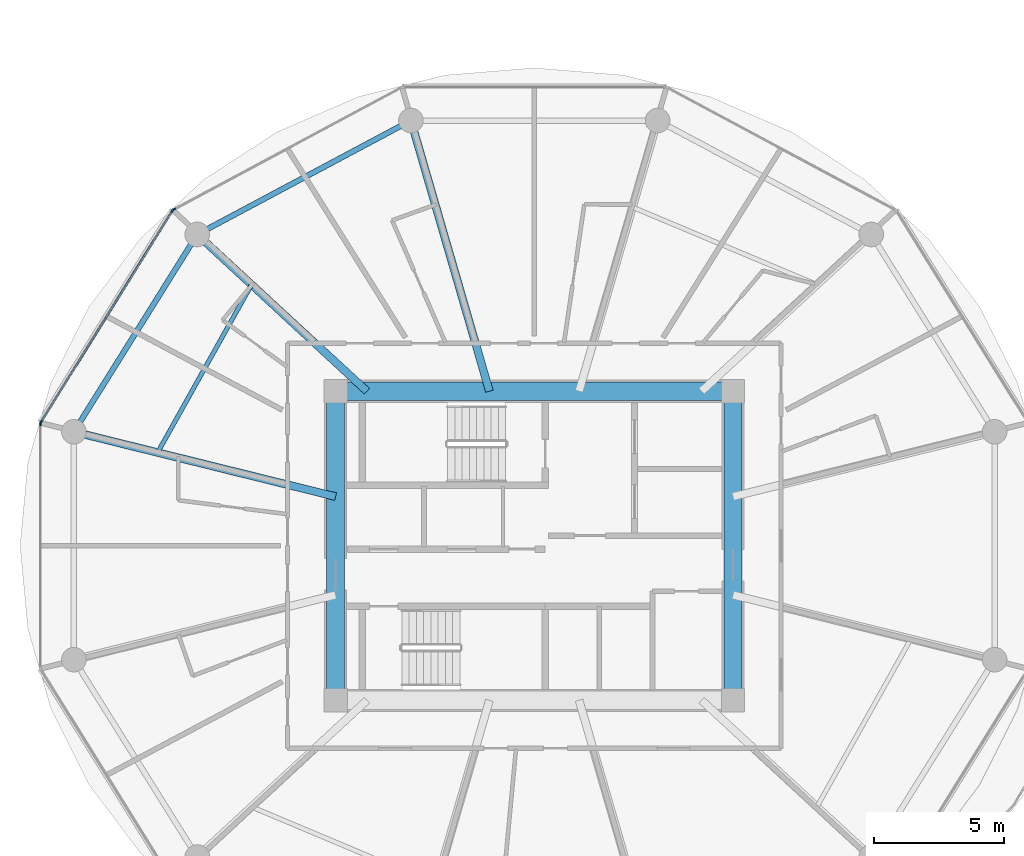
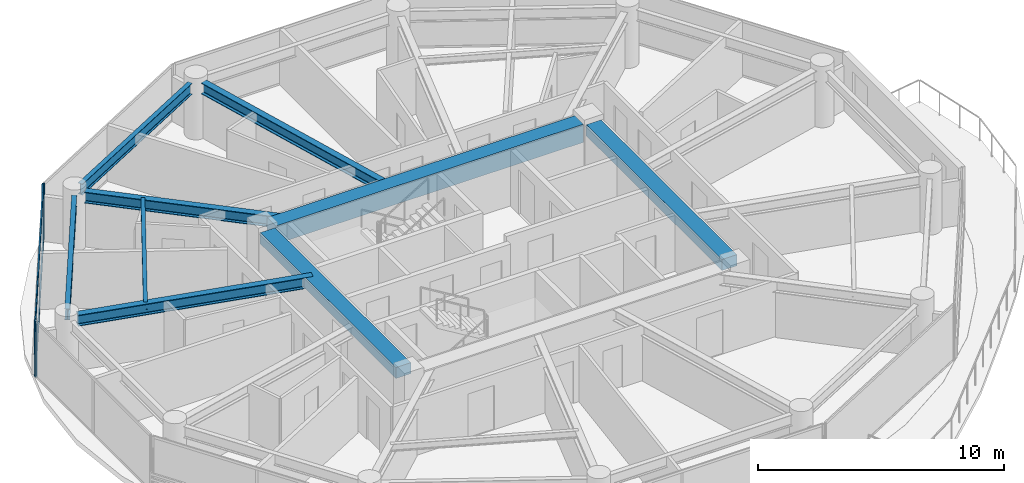
# One storey, part 4 of 27: 9 beams, 6 members, 3 elements without a shape of their own.
"""IFC4 building model written with IfcOpenShell, lengths in metres."""

from ifc_helpers import new_model, si_unit, direction, frame, origin, origin_2d, place, context, subcontext, project, spatial, rectangle, i_section, extrude, source, transform, mapped, material, layer, layer_set, material_profile, profile_set, type_object, type_shapes, element, aggregate, save


model = new_model("IFC4")

# Units and contexts
model_context = context("Model", 3, precision=1e-05, world=origin(), true_north=direction((0.0, 1.0)))
body_context = subcontext(model_context, "Body", "Model", "MODEL_VIEW")
ifc_project = project(units=[si_unit("LENGTHUNIT", "METRE"), si_unit("AREAUNIT", "SQUARE_METRE"), si_unit("VOLUMEUNIT", "CUBIC_METRE"), si_unit("PLANEANGLEUNIT", "RADIAN"), si_unit("MASSUNIT", "GRAM", prefix="KILO")], contexts=[model_context])

# Site, building, storey
site_placement = place(None, origin())
site = spatial("IfcSite", under=ifc_project, at=site_placement, CompositionType="ELEMENT")
building_placement = place(site_placement, origin())
building = spatial("IfcBuilding", under=site, at=building_placement, Name="Norrkilde Senior Care Towers", CompositionType="ELEMENT")
storey_placement = place(building_placement, frame((0.0, 0.0, 61.25)))
storey = spatial("IfcBuildingStorey", under=building, at=storey_placement, Name="L18", CompositionType="ELEMENT", Elevation=61.25)

# Beams
ifc_material_1 = material(Name="Concrete C60/75", Category="concrete")
ifc_material_profile_1 = material_profile(ifc_material_1, rectangle(XDim=0.699951171875, YDim=0.89990234375, at=origin_2d()), Name="RC BM 700x900")
ifc_profile_set_1 = profile_set([ifc_material_profile_1], Name="Concrete C60/75")
beam_type_1 = type_object("IfcBeamType", Name="Core Coupling Girder 700x900", PredefinedType="USERDEFINED", material=ifc_profile_set_1)
shared_shape_1 = source(origin(), body_context, "Body", "SweptSolid", [
    extrude(rectangle(XDim=0.699951171875, YDim=0.89990234375, at=origin_2d()), origin(), (0.0, 0.0, 1.0), 14.43994140625),
])
type_shapes(beam_type_1, [shared_shape_1])
beam_1_placement = place(storey_placement, frame((-35.219970703125, 5.949951171875, 2.340087890625), z_axis=(1.0, 0.0, 0.0), x_axis=(0.0, 1.0, 0.0)))
element("IfcBeam", 1, at=beam_1_placement, inside=storey, type_object=beam_type_1, Name="L18 Core W N Coupling Girder", ObjectType="GIRDER", PredefinedType="USERDEFINED", context=body_context, shape_type="MappedRepresentation", body=[
    mapped(shared_shape_1, transform((0.0, 0.0, 0.0), x_axis=(1.0, 0.0, 0.0), y_axis=(0.0, 1.0, 0.0), z_axis=(0.0, 0.0, 1.0), scale=1.0)),
])
ifc_material_profile_2 = material_profile(ifc_material_1, rectangle(XDim=0.699951171875, YDim=0.550048828125, at=origin_2d()), Name="RC BM 700x550")
ifc_profile_set_2 = profile_set([ifc_material_profile_2], Name="Concrete C60/75")
beam_type_2 = type_object("IfcBeamType", Name="Core Portal Coupling Beam 700x550", PredefinedType="USERDEFINED", material=ifc_profile_set_2)
shared_shape_2 = source(origin(), body_context, "Body", "SweptSolid", [
    extrude(rectangle(XDim=0.699951171875, YDim=0.550048828125, at=origin_2d()), origin(), (0.0, 0.0, 1.0), 11.0400390625),
])
type_shapes(beam_type_2, [shared_shape_2])
for number, where, z_axis, x_axis, name in (
    (2, (-35.64990234375, -5.52001953125, 2.514892578125), (0.0, 1.0, 0.0), (-1.0, 0.0, 0.0), "L18 Core W W Coupling Girder"),
    (3, (-20.35009765625, -5.52001953125, 2.514892578125), (0.0, 1.0, 0.0), (-1.0, 0.0, 0.0), "L18 Core W E Coupling Girder"),
):
    element("IfcBeam", number, at=place(storey_placement, frame(where, z_axis=z_axis, x_axis=x_axis)), inside=storey, type_object=beam_type_2, Name=name, ObjectType="GIRDER", PredefinedType="USERDEFINED", context=body_context, shape_type="MappedRepresentation", body=[
        mapped(shared_shape_2, transform((0.0, 0.0, 0.0), x_axis=(1.0, 0.0, 0.0), y_axis=(0.0, 1.0, 0.0), z_axis=(0.0, 0.0, 1.0), scale=1.0)),
    ])
ifc_material_2 = material(Name="Steel S355", Category="steel")
ifc_material_profile_3 = material_profile(ifc_material_2, i_section(OverallWidth=0.2099609375, OverallDepth=0.550048828125, WebThickness=0.010986328125, FlangeThickness=0.01708984375, FilletRadius=0.02392578125, at=origin_2d()), Name="IPE 550")
ifc_profile_set_3 = profile_set([ifc_material_profile_3], Name="Steel S355")
beam_type_3 = type_object("IfcBeamType", Name="Perimeter Ring Spandrel Z1 IPE550", PredefinedType="SPANDREL", material=ifc_profile_set_3)
shared_shape_3 = source(origin(), body_context, "Body", "SweptSolid", [
    extrude(i_section(OverallWidth=0.2099609375, OverallDepth=0.550048828125, WebThickness=0.010986328125, FlangeThickness=0.01708984375, FilletRadius=0.02392578125, at=origin_2d()), origin(), (0.0, 0.0, 1.0), 8.090576171875),
])
beam_2_placement = place(storey_placement, frame((-41.2060546875, 11.61669921875, 2.514892578125), z_axis=(-0.530004364821, -0.84799491347, 0.0), x_axis=(0.84799491347, -0.530004364821, 0.0)))
element("IfcBeam", 4, at=beam_2_placement, inside=storey, type_object=beam_type_3, Name="L18 Drum W Perimeter Spandrel 05", PredefinedType="SPANDREL", context=body_context, shape_type="MappedRepresentation", body=[
    mapped(shared_shape_3, transform((0.0, 0.0, 0.0), x_axis=(1.0, 0.0, 0.0), y_axis=(0.0, 1.0, 0.0), z_axis=(0.0, 0.0, 1.0), scale=1.0)),
])
ifc_material_profile_4 = material_profile(ifc_material_2, i_section(OverallWidth=0.300048828125, OverallDepth=0.550048828125, WebThickness=0.014892578125, FlangeThickness=0.029052734375, FilletRadius=0.027099609375, at=origin_2d()), Name="HEB 550")
ifc_profile_set_4 = profile_set([ifc_material_profile_4], Name="Steel S355")
beam_type_4 = type_object("IfcBeamType", Name="Radial Floor Beam Z1 HEB550", PredefinedType="BEAM", material=ifc_profile_set_4)
shared_shape_4 = source(origin(), body_context, "Body", "SweptSolid", [
    extrude(i_section(OverallWidth=0.300048828125, OverallDepth=0.550048828125, WebThickness=0.014892578125, FlangeThickness=0.029052734375, FilletRadius=0.027099609375, at=origin_2d()), origin(), (0.0, 0.0, 1.0), 9.94384765625),
])
beam_3_placement = place(storey_placement, frame((-35.64990234375, 1.893310546875, 2.514892578125), z_axis=(-0.970707425182, 0.240264634718, 0.0), x_axis=(-0.240264634718, -0.970707425182, 0.0)))
element("IfcBeam", 5, at=beam_3_placement, inside=storey, type_object=beam_type_4, Name="L18 Drum W Radial Floor Beam 06", PredefinedType="BEAM", context=body_context, shape_type="MappedRepresentation", body=[
    mapped(shared_shape_4, transform((0.0, 0.0, 0.0), x_axis=(1.0, 0.0, 0.0), y_axis=(0.0, 1.0, 0.0), z_axis=(0.0, 0.0, 1.0), scale=1.0)),
])
shared_shape_5 = source(origin(), body_context, "Body", "SweptSolid", [
    extrude(i_section(OverallWidth=0.2099609375, OverallDepth=0.550048828125, WebThickness=0.010986328125, FlangeThickness=0.01708984375, FilletRadius=0.02392578125, at=origin_2d()), origin(), (0.0, 0.0, 1.0), 8.452880859375),
])
type_shapes(beam_type_3, [shared_shape_3, shared_shape_5])
beam_4_placement = place(storey_placement, frame((-33.133056640625, 16.167724609375, 2.514892578125), z_axis=(-0.882368931134, -0.470558252898, 0.0), x_axis=(0.470558252898, -0.882368931134, 0.0)))
element("IfcBeam", 6, at=beam_4_placement, inside=storey, type_object=beam_type_3, Name="L18 Drum W Perimeter Spandrel 04", PredefinedType="SPANDREL", context=body_context, shape_type="MappedRepresentation", body=[
    mapped(shared_shape_5, transform((0.0, 0.0, 0.0), x_axis=(1.0, 0.0, 0.0), y_axis=(0.0, 1.0, 0.0), z_axis=(0.0, 0.0, 1.0), scale=1.0)),
])
shared_shape_6 = source(origin(), body_context, "Body", "SweptSolid", [
    extrude(i_section(OverallWidth=0.300048828125, OverallDepth=0.550048828125, WebThickness=0.014892578125, FlangeThickness=0.029052734375, FilletRadius=0.027099609375, at=origin_2d()), origin(), (0.0, 0.0, 1.0), 8.459716796875),
])
beam_5_placement = place(storey_placement, frame((-34.44140625, 5.949951171875, 2.514892578125), z_axis=(-0.734573269108, 0.678529374686, 0.0), x_axis=(-0.678529374686, -0.734573269108, 0.0)))
element("IfcBeam", 7, at=beam_5_placement, inside=storey, type_object=beam_type_4, Name="L18 Drum W Radial Floor Beam 05", PredefinedType="BEAM", context=body_context, shape_type="MappedRepresentation", body=[
    mapped(shared_shape_6, transform((0.0, 0.0, 0.0), x_axis=(1.0, 0.0, 0.0), y_axis=(0.0, 1.0, 0.0), z_axis=(0.0, 0.0, 1.0), scale=1.0)),
])
shared_shape_7 = source(origin(), body_context, "Body", "SweptSolid", [
    extrude(i_section(OverallWidth=0.300048828125, OverallDepth=0.550048828125, WebThickness=0.014892578125, FlangeThickness=0.029052734375, FilletRadius=0.027099609375, at=origin_2d()), origin(), (0.0, 0.0, 1.0), 10.4169921875),
])
type_shapes(beam_type_4, [shared_shape_4, shared_shape_6, shared_shape_7])
beam_6_placement = place(storey_placement, frame((-29.72607421875, 5.949951171875, 2.514892578125), z_axis=(-0.278591250785, 0.960409764104, 0.0), x_axis=(-0.960409764104, -0.278591250785, 0.0)))
element("IfcBeam", 8, at=beam_6_placement, inside=storey, type_object=beam_type_4, Name="L18 Drum W Radial Floor Beam 04", PredefinedType="BEAM", context=body_context, shape_type="MappedRepresentation", body=[
    mapped(shared_shape_7, transform((0.0, 0.0, 0.0), x_axis=(1.0, 0.0, 0.0), y_axis=(0.0, 1.0, 0.0), z_axis=(0.0, 0.0, 1.0), scale=1.0)),
])
ifc_material_profile_5 = material_profile(ifc_material_2, i_section(OverallWidth=0.169921875, OverallDepth=0.360107421875, WebThickness=0.008056640625, FlangeThickness=0.0126953125, FilletRadius=0.01806640625, at=origin_2d()), Name="IPE 360")
ifc_profile_set_5 = profile_set([ifc_material_profile_5], Name="Steel S355")
beam_type_5 = type_object("IfcBeamType", Name="Secondary Floor Joist IPE360", PredefinedType="JOIST", material=ifc_profile_set_5)
shared_shape_8 = source(origin(), body_context, "Body", "SweptSolid", [
    extrude(i_section(OverallWidth=0.169921875, OverallDepth=0.360107421875, WebThickness=0.008056640625, FlangeThickness=0.0126953125, FilletRadius=0.01806640625, at=origin_2d()), origin(), (0.0, 0.0, 1.0), 7.40771484375),
])
type_shapes(beam_type_5, [shared_shape_8])
beam_7_placement = place(storey_placement, frame((-38.884521484375, 10.05419921875, 2.610107421875), z_axis=(-0.488167754092, -0.872749817453, 0.0), x_axis=(0.872749817453, -0.488167754092, 0.0)))
element("IfcBeam", 9, at=beam_7_placement, inside=storey, type_object=beam_type_5, Name="L18 Drum W Secondary Floor Joist 2", PredefinedType="JOIST", context=body_context, shape_type="MappedRepresentation", body=[
    mapped(shared_shape_8, transform((0.0, 0.0, 0.0), x_axis=(1.0, 0.0, 0.0), y_axis=(0.0, 1.0, 0.0), z_axis=(0.0, 0.0, 1.0), scale=1.0)),
])

# Curtain wall, member
ifc_material_3 = material(Name="Triple Low-E Insulated Glazing", Category="glass")
ifc_layer = layer(ifc_material_3, 0.199951171875)
ifc_layer_set = layer_set([ifc_layer], Name="Triple Low-E Insulated Glazing")
curtain_wall_type = type_object("IfcCurtainWallType", Name="CW2 Zone 1 Memory Care Curtain Wall", PredefinedType="NOTDEFINED", material=ifc_layer_set)
curtain_wall_1_placement = place(storey_placement, origin())
curtain_wall_1 = element("IfcCurtainWall", 10, at=curtain_wall_1_placement, inside=storey, type_object=curtain_wall_type, Name="L18 Drum W Curtain Wall 03", PredefinedType="NOTDEFINED")
ifc_material_4 = material(Name="Anodised Aluminium", Category="aluminium")
ifc_material_profile_6 = material_profile(ifc_material_4, rectangle(XDim=0.06494140625, YDim=0.159912109375, at=origin_2d()), Name="ALU MULL 65x160")
ifc_profile_set_6 = profile_set([ifc_material_profile_6], Name="Anodised Aluminium")
member_type_1 = type_object("IfcMemberType", Name="Curtain Wall Mullion Z1-Z2 65x160", PredefinedType="MULLION", material=ifc_profile_set_6)
shared_shape_9 = source(origin(), body_context, "Body", "SweptSolid", [
    extrude(rectangle(XDim=0.06494140625, YDim=0.159912109375, at=origin_2d()), origin(), (0.0, 0.0, 1.0), 2.7900390625),
])
type_shapes(member_type_1, [shared_shape_9])
member_1_placement = place(storey_placement, frame((-41.88720703125, 12.941162109375, 0.0), z_axis=(0.0, 0.0, 1.0), x_axis=(-0.472607802456, 0.881272866403, 0.0)))
member_1 = element("IfcMember", 11, at=member_1_placement, type_object=member_type_1, Name="CW-2 mullion 1", PredefinedType="MULLION", context=body_context, shape_type="MappedRepresentation", body=[
    mapped(shared_shape_9, transform((0.0, 0.0, 0.0), x_axis=(1.0, 0.0, 0.0), y_axis=(0.0, 1.0, 0.0), z_axis=(0.0, 0.0, 1.0), scale=1.0)),
])
aggregate(curtain_wall_1, [member_1])

# Curtain wall, members
curtain_wall_2_placement = place(storey_placement, origin())
curtain_wall_2 = element("IfcCurtainWall", 12, at=curtain_wall_2_placement, inside=storey, type_object=curtain_wall_type, Name="L18 Drum W Curtain Wall 04", PredefinedType="NOTDEFINED")
member_2_placement = place(storey_placement, frame((-46.9921875, 4.7587890625, 0.0), z_axis=(0.0, 0.0, 1.0), x_axis=(-0.849305943117, 0.527900951871, 0.0)))
member_2 = element("IfcMember", 13, at=member_2_placement, type_object=member_type_1, Name="CW-2 mullion 1", PredefinedType="MULLION", context=body_context, shape_type="MappedRepresentation", body=[
    mapped(shared_shape_9, transform((0.0, 0.0, 0.0), x_axis=(1.0, 0.0, 0.0), y_axis=(0.0, 1.0, 0.0), z_axis=(0.0, 0.0, 1.0), scale=1.0)),
])
member_3_placement = place(storey_placement, frame((-41.93310546875, 12.898193359375, 0.0), z_axis=(0.0, 0.0, 1.0), x_axis=(-0.849305943117, 0.527900951871, 0.0)))
member_3 = element("IfcMember", 14, at=member_3_placement, type_object=member_type_1, Name="CW-2 mullion 2", PredefinedType="MULLION", context=body_context, shape_type="MappedRepresentation", body=[
    mapped(shared_shape_9, transform((0.0, 0.0, 0.0), x_axis=(1.0, 0.0, 0.0), y_axis=(0.0, 1.0, 0.0), z_axis=(0.0, 0.0, 1.0), scale=1.0)),
])

# Curtain wall, member
curtain_wall_3_placement = place(storey_placement, origin())
curtain_wall_3 = element("IfcCurtainWall", 15, at=curtain_wall_3_placement, inside=storey, type_object=curtain_wall_type, Name="L18 Drum W Curtain Wall 05", PredefinedType="NOTDEFINED")
member_4_placement = place(storey_placement, frame((-47.009521484375, 4.69873046875, 0.0), z_axis=(0.0, 0.0, 1.0), x_axis=(-1.0, 0.0, 0.0)))
member_4 = element("IfcMember", 16, at=member_4_placement, type_object=member_type_1, Name="CW-2 mullion 2", PredefinedType="MULLION", context=body_context, shape_type="MappedRepresentation", body=[
    mapped(shared_shape_9, transform((0.0, 0.0, 0.0), x_axis=(1.0, 0.0, 0.0), y_axis=(0.0, 1.0, 0.0), z_axis=(0.0, 0.0, 1.0), scale=1.0)),
])
aggregate(curtain_wall_3, [member_4])

# Member
ifc_material_profile_7 = material_profile(ifc_material_4, rectangle(XDim=0.06005859375, YDim=0.1201171875, at=origin_2d()), Name="ALU TRAN 60x120")
ifc_profile_set_7 = profile_set([ifc_material_profile_7], Name="Anodised Aluminium")
member_type_2 = type_object("IfcMemberType", Name="Curtain Wall Transom Typical 60x120", PredefinedType="USERDEFINED", material=ifc_profile_set_7)
shared_shape_10 = source(origin(), body_context, "Body", "SweptSolid", [
    extrude(rectangle(XDim=0.06005859375, YDim=0.1201171875, at=origin_2d()), origin(), (0.0, 0.0, 1.0), 9.5185546875),
])
type_shapes(member_type_2, [shared_shape_10])
member_5_placement = place(storey_placement, frame((-46.97509765625, 4.786376953125, 0.030029296875), z_axis=(0.527901620669, 0.849305527413, 0.0), x_axis=(-0.849305527413, 0.527901620669, 0.0)))
member_5 = element("IfcMember", 17, at=member_5_placement, type_object=member_type_2, Name="CW-2 transom 1.1", ObjectType="TRANSOM", PredefinedType="USERDEFINED", context=body_context, shape_type="MappedRepresentation", body=[
    mapped(shared_shape_10, transform((0.0, 0.0, 0.0), x_axis=(1.0, 0.0, 0.0), y_axis=(0.0, 1.0, 0.0), z_axis=(0.0, 0.0, 1.0), scale=1.0)),
])

member_6_placement = place(storey_placement, frame((-46.97509765625, 4.786376953125, 2.760009765625), z_axis=(0.527901620669, 0.849305527413, 0.0), x_axis=(-0.849305527413, 0.527901620669, 0.0)))
member_6 = element("IfcMember", 18, at=member_6_placement, type_object=member_type_2, Name="CW-2 transom 1.2", ObjectType="TRANSOM", PredefinedType="USERDEFINED", context=body_context, shape_type="MappedRepresentation", body=[
    mapped(shared_shape_10, transform((0.0, 0.0, 0.0), x_axis=(1.0, 0.0, 0.0), y_axis=(0.0, 1.0, 0.0), z_axis=(0.0, 0.0, 1.0), scale=1.0)),
])

aggregate(curtain_wall_2, [member_2, member_3, member_5, member_6])

save(model, "model.ifc")
